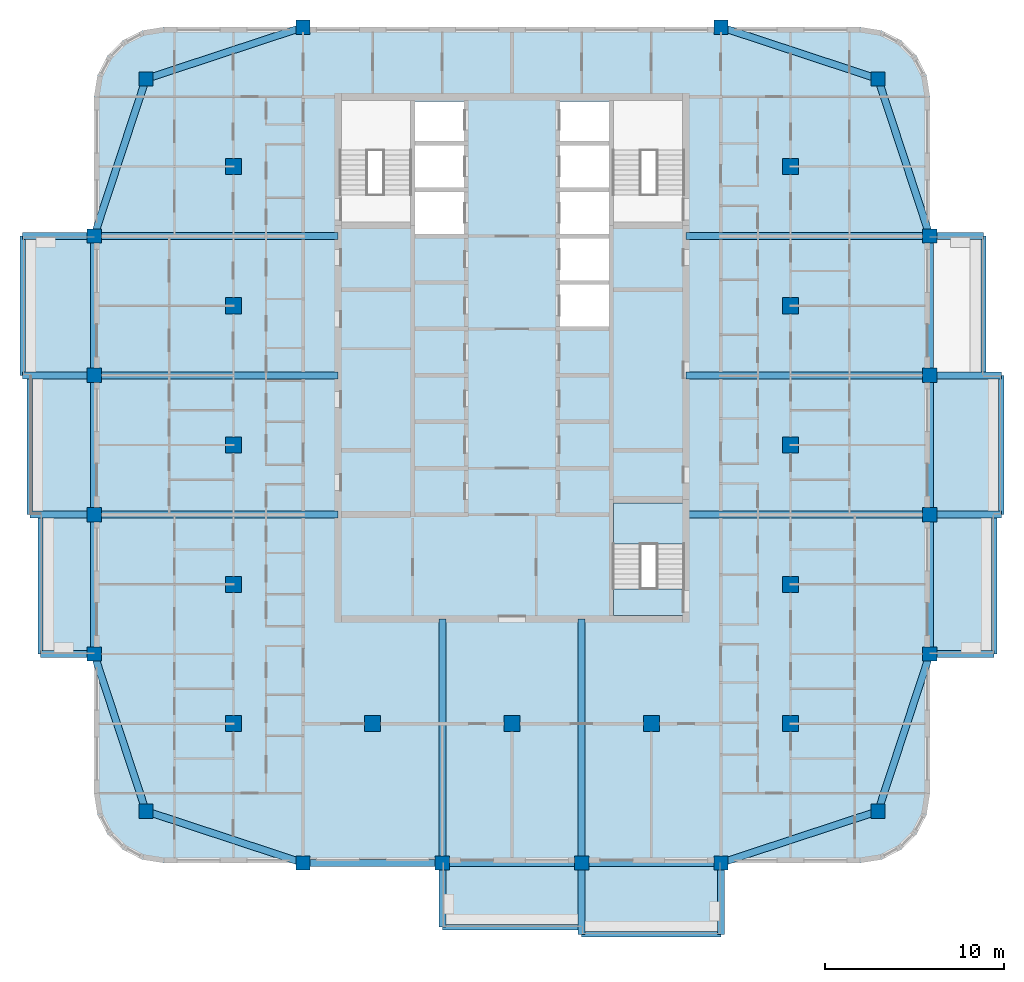
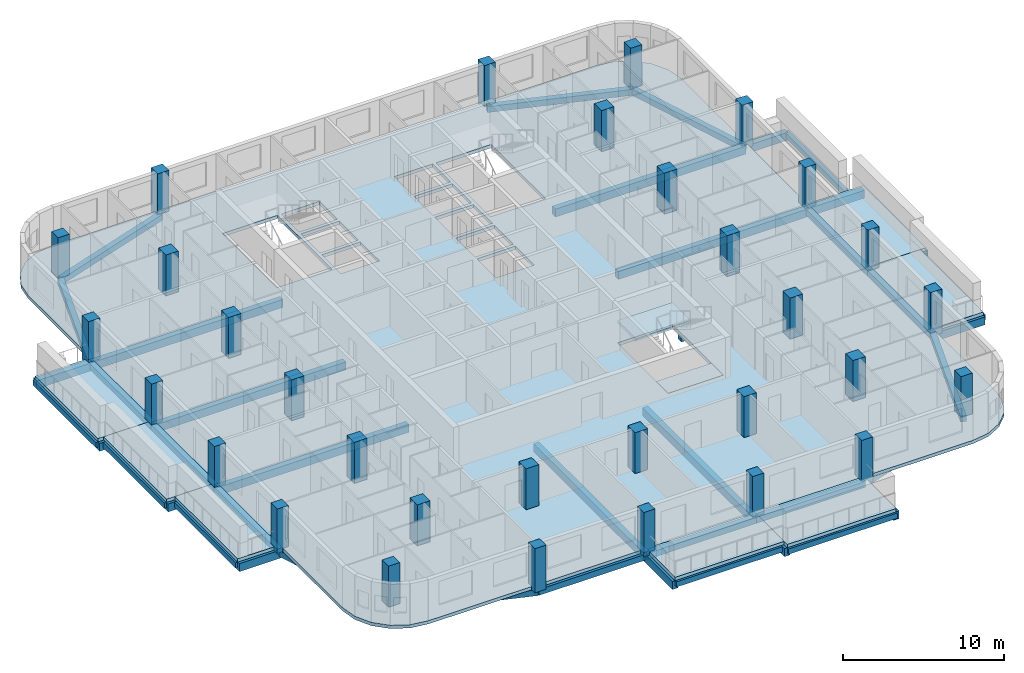
# One storey, part 1 of 16: 44 beams, 31 columns, 10 slabs, 1 element without a shape of its own.
"""IFC4 building model written with IfcOpenShell, lengths in metres."""

from ifc_helpers import new_model, si_unit, direction, frame, origin, origin_2d, place, context, subcontext, project, spatial, polyline, rectangle, outline, extrude, material, layer, layer_set, material_profile, profile_set, type_object, element, aggregate, save


model = new_model("IFC4")

# Units and contexts
model_context = context("Model", 3, precision=1e-05, world=origin(), true_north=direction((0.0, 1.0)))
body_context = subcontext(model_context, "Body", "Model", "MODEL_VIEW")
ifc_project = project(units=[si_unit("LENGTHUNIT", "METRE"), si_unit("AREAUNIT", "SQUARE_METRE"), si_unit("VOLUMEUNIT", "CUBIC_METRE"), si_unit("PLANEANGLEUNIT", "RADIAN"), si_unit("MASSUNIT", "GRAM", prefix="KILO")], contexts=[model_context])

# Site, building, storey
site_placement = place(None, origin())
site = spatial("IfcSite", under=ifc_project, at=site_placement, CompositionType="ELEMENT")
building_placement = place(site_placement, origin())
building = spatial("IfcBuilding", under=site, at=building_placement, Name="Ludao Terraces", CompositionType="ELEMENT")
storey_placement = place(building_placement, frame((0.0, 0.0, 238.10009765625)))
storey = spatial("IfcBuildingStorey", under=building, at=storey_placement, Name="L65", CompositionType="ELEMENT", Elevation=238.10009765625)

# Columns
ifc_material_1 = material(Name="Concrete C50", Category="concrete")
ifc_material_profile_1 = material_profile(ifc_material_1, rectangle(XDim=0.800048828125, YDim=0.800048828125, at=origin_2d()), Name="800 X 800")
ifc_profile_set_1 = profile_set([ifc_material_profile_1], Name="Concrete C50")
column_type_1 = type_object("IfcColumnType", Name="RC column 800x800 C50", PredefinedType="COLUMN", material=ifc_profile_set_1)
for number, where, z_axis, x_axis, name in (
    (1, (64.5, 44.5, -0.25), (0.0, 0.0, 1.0), (1.0, 0.0, 0.0), "Column L65 C0029x0029"),
    (2, (105.5, 44.5, -0.25), (0.0, 0.0, 1.0), (1.0, 0.0, 0.0), "Column L65 C0439x0029"),
    (3, (64.5, 85.5, -0.25), (0.0, 0.0, 1.0), (1.0, 0.0, 0.0), "Column L65 C0029x0439"),
    (4, (105.5, 85.5, -0.25), (0.0, 0.0, 1.0), (1.0, 0.0, 0.0), "Column L65 C0439x0439"),
    (5, (61.60009765625, 53.300048828125, -0.25), (0.0, 0.0, 1.0), (1.0, 0.0, 0.0), "Column L65 F0000x0117"),
    (6, (108.39990234375, 53.300048828125, -0.25), (0.0, 0.0, 1.0), (1.0, 0.0, 0.0), "Column L65 F0468x0117"),
    (7, (73.300048828125, 41.60009765625, -0.25), (0.0, 0.0, 1.0), (1.0, 0.0, 0.0), "Column L65 F0117x0000"),
    (8, (73.300048828125, 88.39990234375, -0.25), (0.0, 0.0, 1.0), (1.0, 0.0, 0.0), "Column L65 F0117x0468"),
    (9, (61.60009765625, 61.10009765625, -0.25), (0.0, 0.0, 1.0), (1.0, 0.0, 0.0), "Column L65 F0000x0195"),
    (10, (108.39990234375, 61.10009765625, -0.25), (0.0, 0.0, 1.0), (1.0, 0.0, 0.0), "Column L65 F0468x0195"),
    (11, (81.10009765625, 41.60009765625, -0.25), (0.0, 0.0, 1.0), (1.0, 0.0, 0.0), "Column L65 F0195x0000"),
    (12, (61.60009765625, 68.89990234375, -0.25), (0.0, 0.0, 1.0), (1.0, 0.0, 0.0), "Column L65 F0000x0273"),
    (13, (108.39990234375, 68.89990234375, -0.25), (0.0, 0.0, 1.0), (1.0, 0.0, 0.0), "Column L65 F0468x0273"),
    (14, (88.89990234375, 41.60009765625, -0.25), (0.0, 0.0, 1.0), (1.0, 0.0, 0.0), "Column L65 F0273x0000"),
    (15, (61.60009765625, 76.699951171875, -0.25), (0.0, 0.0, 1.0), (1.0, 0.0, 0.0), "Column L65 F0000x0351"),
    (16, (108.39990234375, 76.699951171875, -0.25), (0.0, 0.0, 1.0), (1.0, 0.0, 0.0), "Column L65 F0468x0351"),
    (17, (96.699951171875, 41.60009765625, -0.25), (0.0, 0.0, 1.0), (1.0, 0.0, 0.0), "Column L65 F0351x0000"),
    (18, (96.699951171875, 88.39990234375, -0.25), (0.0, 0.0, 1.0), (1.0, 0.0, 0.0), "Column L65 F0351x0468"),
):
    element("IfcColumn", number, at=place(storey_placement, frame(where, z_axis=z_axis, x_axis=x_axis)), inside=storey, type_object=column_type_1, Name=name, PredefinedType="COLUMN", context=body_context, shape_type="SweptSolid", body=[
        extrude(rectangle(XDim=0.800048828125, YDim=0.800048828125, at=origin_2d()), origin(), (0.0, 0.0, 1.0), 3.349853515625),
    ])
ifc_material_profile_2 = material_profile(ifc_material_1, rectangle(XDim=0.89990234375, YDim=0.89990234375, at=origin_2d()), Name="900 X 900")
ifc_profile_set_2 = profile_set([ifc_material_profile_2], Name="Concrete C50")
column_type_2 = type_object("IfcColumnType", Name="RC column 900x900 C50", PredefinedType="COLUMN", material=ifc_profile_set_2)
for number, where, z_axis, x_axis, name in (
    (19, (69.39990234375, 49.39990234375, -0.25), (0.0, 0.0, 1.0), (1.0, 0.0, 0.0), "Column L65 S0078x0078"),
    (20, (69.39990234375, 57.199951171875, -0.25), (0.0, 0.0, 1.0), (1.0, 0.0, 0.0), "Column L65 S0078x0156"),
    (21, (69.39990234375, 65.0, -0.25), (0.0, 0.0, 1.0), (1.0, 0.0, 0.0), "Column L65 S0078x0234"),
    (22, (69.39990234375, 72.800048828125, -0.25), (0.0, 0.0, 1.0), (1.0, 0.0, 0.0), "Column L65 S0078x0312"),
    (23, (69.39990234375, 80.60009765625, -0.25), (0.0, 0.0, 1.0), (1.0, 0.0, 0.0), "Column L65 S0078x0390"),
    (24, (77.199951171875, 49.39990234375, -0.25), (0.0, 0.0, 1.0), (1.0, 0.0, 0.0), "Column L65 S0156x0078"),
    (25, (85.0, 49.39990234375, -0.25), (0.0, 0.0, 1.0), (1.0, 0.0, 0.0), "Column L65 S0234x0078"),
    (26, (92.800048828125, 49.39990234375, -0.25), (0.0, 0.0, 1.0), (1.0, 0.0, 0.0), "Column L65 S0312x0078"),
    (27, (100.60009765625, 49.39990234375, -0.25), (0.0, 0.0, 1.0), (1.0, 0.0, 0.0), "Column L65 S0390x0078"),
    (28, (100.60009765625, 57.199951171875, -0.25), (0.0, 0.0, 1.0), (1.0, 0.0, 0.0), "Column L65 S0390x0156"),
    (29, (100.60009765625, 65.0, -0.25), (0.0, 0.0, 1.0), (1.0, 0.0, 0.0), "Column L65 S0390x0234"),
    (30, (100.60009765625, 72.800048828125, -0.25), (0.0, 0.0, 1.0), (1.0, 0.0, 0.0), "Column L65 S0390x0312"),
    (31, (100.60009765625, 80.60009765625, -0.25), (0.0, 0.0, 1.0), (1.0, 0.0, 0.0), "Column L65 S0390x0390"),
):
    element("IfcColumn", number, at=place(storey_placement, frame(where, z_axis=z_axis, x_axis=x_axis)), inside=storey, type_object=column_type_2, Name=name, PredefinedType="COLUMN", context=body_context, shape_type="SweptSolid", body=[
        extrude(rectangle(XDim=0.89990234375, YDim=0.89990234375, at=origin_2d()), origin(), (0.0, 0.0, 1.0), 3.349853515625),
    ])

# Beams
ifc_material_2 = material(Name="Concrete C40", Category="concrete")
ifc_material_profile_3 = material_profile(ifc_material_2, rectangle(XDim=0.300048828125, YDim=0.39990234375, at=origin_2d()), Name="300 X 400")
ifc_profile_set_3 = profile_set([ifc_material_profile_3], Name="Concrete C40")
beam_type_1 = type_object("IfcBeamType", Name="RC beam 300x400 C40", PredefinedType="BEAM", material=ifc_profile_set_3)
beam_1_placement = place(storey_placement, frame((81.10009765625, 38.0, -0.4501953125), z_axis=(1.0, 0.0, 0.0), x_axis=(0.0, 1.0, 0.0)))
element("IfcBeam", 32, at=beam_1_placement, inside=storey, type_object=beam_type_1, Name="Balcony edge beam L65 S2", PredefinedType="BEAM", context=body_context, shape_type="SweptSolid", body=[
    extrude(rectangle(XDim=0.300048828125, YDim=0.39990234375, at=origin_2d()), origin(), (0.0, 0.0, 1.0), 7.7998046875),
])
for number, where, z_axis, x_axis, name in (
    (33, (88.89990234375, 37.60009765625, -0.4501953125), (1.0, 0.0, 0.0), (0.0, 1.0, 0.0), "Balcony edge beam L65 S3"),
    (34, (112.0, 53.300048828125, -0.4501953125), (0.0, 1.0, 0.0), (-1.0, 0.0, 0.0), "Balcony edge beam L65 E1"),
):
    element("IfcBeam", number, at=place(storey_placement, frame(where, z_axis=z_axis, x_axis=x_axis)), inside=storey, type_object=beam_type_1, Name=name, PredefinedType="BEAM", context=body_context, shape_type="SweptSolid", body=[
        extrude(rectangle(XDim=0.300048828125, YDim=0.39990234375, at=origin_2d()), origin(), (0.0, 0.0, 1.0), 7.800048828125),
    ])
beam_2_placement = place(storey_placement, frame((112.39990234375, 61.10009765625, -0.4501953125), z_axis=(0.0, 1.0, 0.0), x_axis=(-1.0, 0.0, 0.0)))
element("IfcBeam", 35, at=beam_2_placement, inside=storey, type_object=beam_type_1, Name="Balcony edge beam L65 E2", PredefinedType="BEAM", context=body_context, shape_type="SweptSolid", body=[
    extrude(rectangle(XDim=0.300048828125, YDim=0.39990234375, at=origin_2d()), origin(), (0.0, 0.0, 1.0), 7.7998046875),
])
for number, where, z_axis, x_axis, name in (
    (36, (111.39990234375, 68.89990234375, -0.4501953125), (0.0, 1.0, 0.0), (-1.0, 0.0, 0.0), "Balcony edge beam L65 E3"),
    (37, (58.60009765625, 53.300048828125, -0.4501953125), (0.0, 1.0, 0.0), (-1.0, 0.0, 0.0), "Balcony edge beam L65 W1"),
):
    element("IfcBeam", number, at=place(storey_placement, frame(where, z_axis=z_axis, x_axis=x_axis)), inside=storey, type_object=beam_type_1, Name=name, PredefinedType="BEAM", context=body_context, shape_type="SweptSolid", body=[
        extrude(rectangle(XDim=0.300048828125, YDim=0.39990234375, at=origin_2d()), origin(), (0.0, 0.0, 1.0), 7.800048828125),
    ])
beam_3_placement = place(storey_placement, frame((58.0, 61.10009765625, -0.4501953125), z_axis=(0.0, 1.0, 0.0), x_axis=(-1.0, 0.0, 0.0)))
element("IfcBeam", 38, at=beam_3_placement, inside=storey, type_object=beam_type_1, Name="Balcony edge beam L65 W2", PredefinedType="BEAM", context=body_context, shape_type="SweptSolid", body=[
    extrude(rectangle(XDim=0.300048828125, YDim=0.39990234375, at=origin_2d()), origin(), (0.0, 0.0, 1.0), 7.7998046875),
])
beam_4_placement = place(storey_placement, frame((57.60009765625, 68.89990234375, -0.4501953125), z_axis=(0.0, 1.0, 0.0), x_axis=(-1.0, 0.0, 0.0)))
element("IfcBeam", 39, at=beam_4_placement, inside=storey, type_object=beam_type_1, Name="Balcony edge beam L65 W3", PredefinedType="BEAM", context=body_context, shape_type="SweptSolid", body=[
    extrude(rectangle(XDim=0.300048828125, YDim=0.39990234375, at=origin_2d()), origin(), (0.0, 0.0, 1.0), 7.800048828125),
])
ifc_material_profile_4 = material_profile(ifc_material_2, rectangle(XDim=0.39990234375, YDim=0.449951171875, at=origin_2d()), Name="400 X 450")
ifc_profile_set_4 = profile_set([ifc_material_profile_4], Name="Concrete C40")
beam_type_2 = type_object("IfcBeamType", Name="RC beam 400x450 C40", PredefinedType="BEAM", material=ifc_profile_set_4)
beam_5_placement = place(storey_placement, frame((64.5, 44.5, -0.47509765625), z_axis=(0.949760691408, -0.312977042379, 0.0), x_axis=(0.312977042379, 0.949760691408, 0.0)))
element("IfcBeam", 40, at=beam_5_placement, inside=storey, type_object=beam_type_2, Name="Spandrel beam L65 S1", PredefinedType="BEAM", context=body_context, shape_type="SweptSolid", body=[
    extrude(rectangle(XDim=0.39990234375, YDim=0.449951171875, at=origin_2d()), origin(), (0.0, 0.0, 1.0), 9.265625),
])
beam_6_placement = place(storey_placement, frame((73.300048828125, 41.60009765625, -0.47509765625), z_axis=(1.0, 0.0, 0.0), x_axis=(0.0, 1.0, 0.0)))
element("IfcBeam", 41, at=beam_6_placement, inside=storey, type_object=beam_type_2, Name="Spandrel beam L65 S2", PredefinedType="BEAM", context=body_context, shape_type="SweptSolid", body=[
    extrude(rectangle(XDim=0.39990234375, YDim=0.449951171875, at=origin_2d()), origin(), (0.0, 0.0, 1.0), 7.800048828125),
])
beam_7_placement = place(storey_placement, frame((81.10009765625, 41.60009765625, -0.47509765625), z_axis=(1.0, 0.0, 0.0), x_axis=(0.0, 1.0, 0.0)))
element("IfcBeam", 42, at=beam_7_placement, inside=storey, type_object=beam_type_2, Name="Spandrel beam L65 S3", PredefinedType="BEAM", context=body_context, shape_type="SweptSolid", body=[
    extrude(rectangle(XDim=0.39990234375, YDim=0.449951171875, at=origin_2d()), origin(), (0.0, 0.0, 1.0), 7.7998046875),
])
beam_8_placement = place(storey_placement, frame((88.89990234375, 41.60009765625, -0.47509765625), z_axis=(1.0, 0.0, 0.0), x_axis=(0.0, 1.0, 0.0)))
element("IfcBeam", 43, at=beam_8_placement, inside=storey, type_object=beam_type_2, Name="Spandrel beam L65 S4", PredefinedType="BEAM", context=body_context, shape_type="SweptSolid", body=[
    extrude(rectangle(XDim=0.39990234375, YDim=0.449951171875, at=origin_2d()), origin(), (0.0, 0.0, 1.0), 7.800048828125),
])
for number, where, z_axis, x_axis, name in (
    (44, (96.699951171875, 41.60009765625, -0.47509765625), (0.949760691408, 0.312977042379, 0.0), (-0.312977042379, 0.949760691408, 0.0), "Spandrel beam L65 S5"),
    (45, (64.5, 85.5, -0.47509765625), (0.949760691408, 0.312977042379, 0.0), (-0.312977042379, 0.949760691408, 0.0), "Spandrel beam L65 N6"),
    (46, (96.699951171875, 88.39990234375, -0.47509765625), (0.949760691408, -0.312977042379, 0.0), (0.312977042379, 0.949760691408, 0.0), "Spandrel beam L65 N7"),
    (47, (64.5, 44.5, -0.47509765625), (-0.312977042379, 0.949760691408, 0.0), (-0.949760691408, -0.312977042379, 0.0), "Spandrel beam L65 W8"),
):
    element("IfcBeam", number, at=place(storey_placement, frame(where, z_axis=z_axis, x_axis=x_axis)), inside=storey, type_object=beam_type_2, Name=name, PredefinedType="BEAM", context=body_context, shape_type="SweptSolid", body=[
        extrude(rectangle(XDim=0.39990234375, YDim=0.449951171875, at=origin_2d()), origin(), (0.0, 0.0, 1.0), 9.265625),
    ])
beam_9_placement = place(storey_placement, frame((61.60009765625, 53.300048828125, -0.47509765625), z_axis=(0.0, 1.0, 0.0), x_axis=(-1.0, 0.0, 0.0)))
element("IfcBeam", 48, at=beam_9_placement, inside=storey, type_object=beam_type_2, Name="Spandrel beam L65 W9", PredefinedType="BEAM", context=body_context, shape_type="SweptSolid", body=[
    extrude(rectangle(XDim=0.39990234375, YDim=0.449951171875, at=origin_2d()), origin(), (0.0, 0.0, 1.0), 7.800048828125),
])
beam_10_placement = place(storey_placement, frame((61.60009765625, 61.10009765625, -0.47509765625), z_axis=(0.0, 1.0, 0.0), x_axis=(-1.0, 0.0, 0.0)))
element("IfcBeam", 49, at=beam_10_placement, inside=storey, type_object=beam_type_2, Name="Spandrel beam L65 W10", PredefinedType="BEAM", context=body_context, shape_type="SweptSolid", body=[
    extrude(rectangle(XDim=0.39990234375, YDim=0.449951171875, at=origin_2d()), origin(), (0.0, 0.0, 1.0), 7.7998046875),
])
beam_11_placement = place(storey_placement, frame((61.60009765625, 68.89990234375, -0.47509765625), z_axis=(0.0, 1.0, 0.0), x_axis=(-1.0, 0.0, 0.0)))
element("IfcBeam", 50, at=beam_11_placement, inside=storey, type_object=beam_type_2, Name="Spandrel beam L65 W11", PredefinedType="BEAM", context=body_context, shape_type="SweptSolid", body=[
    extrude(rectangle(XDim=0.39990234375, YDim=0.449951171875, at=origin_2d()), origin(), (0.0, 0.0, 1.0), 7.800048828125),
])
for number, where, z_axis, x_axis, name in (
    (51, (61.60009765625, 76.699951171875, -0.47509765625), (0.312977042379, 0.949760691408, 0.0), (-0.949760691408, 0.312977042379, 0.0), "Spandrel beam L65 W12"),
    (52, (105.5, 44.5, -0.47509765625), (0.312977042379, 0.949760691408, 0.0), (-0.949760691408, 0.312977042379, 0.0), "Spandrel beam L65 E13"),
):
    element("IfcBeam", number, at=place(storey_placement, frame(where, z_axis=z_axis, x_axis=x_axis)), inside=storey, type_object=beam_type_2, Name=name, PredefinedType="BEAM", context=body_context, shape_type="SweptSolid", body=[
        extrude(rectangle(XDim=0.39990234375, YDim=0.449951171875, at=origin_2d()), origin(), (0.0, 0.0, 1.0), 9.265625),
    ])
beam_12_placement = place(storey_placement, frame((108.39990234375, 53.300048828125, -0.47509765625), z_axis=(0.0, 1.0, 0.0), x_axis=(-1.0, 0.0, 0.0)))
element("IfcBeam", 53, at=beam_12_placement, inside=storey, type_object=beam_type_2, Name="Spandrel beam L65 E14", PredefinedType="BEAM", context=body_context, shape_type="SweptSolid", body=[
    extrude(rectangle(XDim=0.39990234375, YDim=0.449951171875, at=origin_2d()), origin(), (0.0, 0.0, 1.0), 7.800048828125),
])
beam_13_placement = place(storey_placement, frame((108.39990234375, 61.10009765625, -0.47509765625), z_axis=(0.0, 1.0, 0.0), x_axis=(-1.0, 0.0, 0.0)))
element("IfcBeam", 54, at=beam_13_placement, inside=storey, type_object=beam_type_2, Name="Spandrel beam L65 E15", PredefinedType="BEAM", context=body_context, shape_type="SweptSolid", body=[
    extrude(rectangle(XDim=0.39990234375, YDim=0.449951171875, at=origin_2d()), origin(), (0.0, 0.0, 1.0), 7.7998046875),
])
beam_14_placement = place(storey_placement, frame((108.39990234375, 68.89990234375, -0.47509765625), z_axis=(0.0, 1.0, 0.0), x_axis=(-1.0, 0.0, 0.0)))
element("IfcBeam", 55, at=beam_14_placement, inside=storey, type_object=beam_type_2, Name="Spandrel beam L65 E16", PredefinedType="BEAM", context=body_context, shape_type="SweptSolid", body=[
    extrude(rectangle(XDim=0.39990234375, YDim=0.449951171875, at=origin_2d()), origin(), (0.0, 0.0, 1.0), 7.800048828125),
])
beam_15_placement = place(storey_placement, frame((108.39990234375, 76.699951171875, -0.47509765625), z_axis=(-0.312977042379, 0.949760691408, 0.0), x_axis=(-0.949760691408, -0.312977042379, 0.0)))
element("IfcBeam", 56, at=beam_15_placement, inside=storey, type_object=beam_type_2, Name="Spandrel beam L65 E17", PredefinedType="BEAM", context=body_context, shape_type="SweptSolid", body=[
    extrude(rectangle(XDim=0.39990234375, YDim=0.449951171875, at=origin_2d()), origin(), (0.0, 0.0, 1.0), 9.265625),
])
ifc_material_profile_5 = material_profile(ifc_material_2, rectangle(XDim=0.39990234375, YDim=0.60009765625, at=origin_2d()), Name="400 X 600")
ifc_profile_set_5 = profile_set([ifc_material_profile_5], Name="Concrete C40")
beam_type_3 = type_object("IfcBeamType", Name="RC beam 400x600 C40", PredefinedType="BEAM", material=ifc_profile_set_5)
beam_16_placement = place(storey_placement, frame((108.39990234375, 53.300048828125, -0.550048828125), z_axis=(1.0, 0.0, 0.0), x_axis=(0.0, 1.0, 0.0)))
element("IfcBeam", 57, at=beam_16_placement, inside=storey, type_object=beam_type_3, Name="Balcony beam L65 E533", PredefinedType="BEAM", context=body_context, shape_type="SweptSolid", body=[
    extrude(rectangle(XDim=0.39990234375, YDim=0.60009765625, at=origin_2d()), origin(), (0.0, 0.0, 1.0), 3.60009765625),
])
beam_17_placement = place(storey_placement, frame((94.75, 61.10009765625, -0.550048828125), z_axis=(1.0, 0.0, 0.0), x_axis=(0.0, 1.0, 0.0)))
element("IfcBeam", 58, at=beam_17_placement, inside=storey, type_object=beam_type_3, Name="Balcony beam L65 E611", PredefinedType="BEAM", context=body_context, shape_type="SweptSolid", body=[
    extrude(rectangle(XDim=0.39990234375, YDim=0.60009765625, at=origin_2d()), origin(), (0.0, 0.0, 1.0), 13.64990234375),
])
beam_18_placement = place(storey_placement, frame((108.39990234375, 61.10009765625, -0.550048828125), z_axis=(1.0, 0.0, 0.0), x_axis=(0.0, 1.0, 0.0)))
element("IfcBeam", 59, at=beam_18_placement, inside=storey, type_object=beam_type_3, Name="Balcony beam L65 E611", PredefinedType="BEAM", context=body_context, shape_type="SweptSolid", body=[
    extrude(rectangle(XDim=0.39990234375, YDim=0.60009765625, at=origin_2d()), origin(), (0.0, 0.0, 1.0), 4.0),
])
beam_19_placement = place(storey_placement, frame((94.75, 68.89990234375, -0.550048828125), z_axis=(1.0, 0.0, 0.0), x_axis=(0.0, 1.0, 0.0)))
element("IfcBeam", 60, at=beam_19_placement, inside=storey, type_object=beam_type_3, Name="Balcony beam L65 E689", PredefinedType="BEAM", context=body_context, shape_type="SweptSolid", body=[
    extrude(rectangle(XDim=0.39990234375, YDim=0.60009765625, at=origin_2d()), origin(), (0.0, 0.0, 1.0), 13.64990234375),
])
beam_20_placement = place(storey_placement, frame((108.39990234375, 68.89990234375, -0.550048828125), z_axis=(1.0, 0.0, 0.0), x_axis=(0.0, 1.0, 0.0)))
element("IfcBeam", 61, at=beam_20_placement, inside=storey, type_object=beam_type_3, Name="Balcony beam L65 E689", PredefinedType="BEAM", context=body_context, shape_type="SweptSolid", body=[
    extrude(rectangle(XDim=0.39990234375, YDim=0.60009765625, at=origin_2d()), origin(), (0.0, 0.0, 1.0), 4.0),
])
beam_21_placement = place(storey_placement, frame((94.75, 76.699951171875, -0.550048828125), z_axis=(1.0, 0.0, 0.0), x_axis=(0.0, 1.0, 0.0)))
element("IfcBeam", 62, at=beam_21_placement, inside=storey, type_object=beam_type_3, Name="Balcony beam L65 E767", PredefinedType="BEAM", context=body_context, shape_type="SweptSolid", body=[
    extrude(rectangle(XDim=0.39990234375, YDim=0.60009765625, at=origin_2d()), origin(), (0.0, 0.0, 1.0), 13.64990234375),
])
beam_22_placement = place(storey_placement, frame((108.39990234375, 76.699951171875, -0.550048828125), z_axis=(1.0, 0.0, 0.0), x_axis=(0.0, 1.0, 0.0)))
element("IfcBeam", 63, at=beam_22_placement, inside=storey, type_object=beam_type_3, Name="Balcony beam L65 E767", PredefinedType="BEAM", context=body_context, shape_type="SweptSolid", body=[
    extrude(rectangle(XDim=0.39990234375, YDim=0.60009765625, at=origin_2d()), origin(), (0.0, 0.0, 1.0), 3.0),
])
beam_23_placement = place(storey_placement, frame((81.10009765625, 55.25, -0.550048828125), z_axis=(0.0, -1.0, 0.0), x_axis=(1.0, 0.0, 0.0)))
element("IfcBeam", 64, at=beam_23_placement, inside=storey, type_object=beam_type_3, Name="Balcony beam L65 S811", PredefinedType="BEAM", context=body_context, shape_type="SweptSolid", body=[
    extrude(rectangle(XDim=0.39990234375, YDim=0.60009765625, at=origin_2d()), origin(), (0.0, 0.0, 1.0), 13.64990234375),
])
beam_24_placement = place(storey_placement, frame((81.10009765625, 41.60009765625, -0.550048828125), z_axis=(0.0, -1.0, 0.0), x_axis=(1.0, 0.0, 0.0)))
element("IfcBeam", 65, at=beam_24_placement, inside=storey, type_object=beam_type_3, Name="Balcony beam L65 S811", PredefinedType="BEAM", context=body_context, shape_type="SweptSolid", body=[
    extrude(rectangle(XDim=0.39990234375, YDim=0.60009765625, at=origin_2d()), origin(), (0.0, 0.0, 1.0), 3.60009765625),
])
beam_25_placement = place(storey_placement, frame((88.89990234375, 55.25, -0.550048828125), z_axis=(0.0, -1.0, 0.0), x_axis=(1.0, 0.0, 0.0)))
element("IfcBeam", 66, at=beam_25_placement, inside=storey, type_object=beam_type_3, Name="Balcony beam L65 S889", PredefinedType="BEAM", context=body_context, shape_type="SweptSolid", body=[
    extrude(rectangle(XDim=0.39990234375, YDim=0.60009765625, at=origin_2d()), origin(), (0.0, 0.0, 1.0), 13.64990234375),
])
for number, where, z_axis, x_axis, name in (
    (67, (88.89990234375, 41.60009765625, -0.550048828125), (0.0, -1.0, 0.0), (1.0, 0.0, 0.0), "Balcony beam L65 S889"),
    (68, (96.699951171875, 41.60009765625, -0.550048828125), (0.0, -1.0, 0.0), (1.0, 0.0, 0.0), "Balcony beam L65 S967"),
):
    element("IfcBeam", number, at=place(storey_placement, frame(where, z_axis=z_axis, x_axis=x_axis)), inside=storey, type_object=beam_type_3, Name=name, PredefinedType="BEAM", context=body_context, shape_type="SweptSolid", body=[
        extrude(rectangle(XDim=0.39990234375, YDim=0.60009765625, at=origin_2d()), origin(), (0.0, 0.0, 1.0), 4.0),
    ])
beam_26_placement = place(storey_placement, frame((61.60009765625, 53.300048828125, -0.550048828125), z_axis=(-1.0, 0.0, 0.0), x_axis=(0.0, -1.0, 0.0)))
element("IfcBeam", 69, at=beam_26_placement, inside=storey, type_object=beam_type_3, Name="Balcony beam L65 W533", PredefinedType="BEAM", context=body_context, shape_type="SweptSolid", body=[
    extrude(rectangle(XDim=0.39990234375, YDim=0.60009765625, at=origin_2d()), origin(), (0.0, 0.0, 1.0), 3.0),
])
beam_27_placement = place(storey_placement, frame((75.25, 61.10009765625, -0.550048828125), z_axis=(-1.0, 0.0, 0.0), x_axis=(0.0, -1.0, 0.0)))
element("IfcBeam", 70, at=beam_27_placement, inside=storey, type_object=beam_type_3, Name="Balcony beam L65 W611", PredefinedType="BEAM", context=body_context, shape_type="SweptSolid", body=[
    extrude(rectangle(XDim=0.39990234375, YDim=0.60009765625, at=origin_2d()), origin(), (0.0, 0.0, 1.0), 13.64990234375),
])
beam_28_placement = place(storey_placement, frame((61.60009765625, 61.10009765625, -0.550048828125), z_axis=(-1.0, 0.0, 0.0), x_axis=(0.0, -1.0, 0.0)))
element("IfcBeam", 71, at=beam_28_placement, inside=storey, type_object=beam_type_3, Name="Balcony beam L65 W611", PredefinedType="BEAM", context=body_context, shape_type="SweptSolid", body=[
    extrude(rectangle(XDim=0.39990234375, YDim=0.60009765625, at=origin_2d()), origin(), (0.0, 0.0, 1.0), 3.60009765625),
])
beam_29_placement = place(storey_placement, frame((75.25, 68.89990234375, -0.550048828125), z_axis=(-1.0, 0.0, 0.0), x_axis=(0.0, -1.0, 0.0)))
element("IfcBeam", 72, at=beam_29_placement, inside=storey, type_object=beam_type_3, Name="Balcony beam L65 W689", PredefinedType="BEAM", context=body_context, shape_type="SweptSolid", body=[
    extrude(rectangle(XDim=0.39990234375, YDim=0.60009765625, at=origin_2d()), origin(), (0.0, 0.0, 1.0), 13.64990234375),
])
beam_30_placement = place(storey_placement, frame((61.60009765625, 68.89990234375, -0.550048828125), z_axis=(-1.0, 0.0, 0.0), x_axis=(0.0, -1.0, 0.0)))
element("IfcBeam", 73, at=beam_30_placement, inside=storey, type_object=beam_type_3, Name="Balcony beam L65 W689", PredefinedType="BEAM", context=body_context, shape_type="SweptSolid", body=[
    extrude(rectangle(XDim=0.39990234375, YDim=0.60009765625, at=origin_2d()), origin(), (0.0, 0.0, 1.0), 4.0),
])
beam_31_placement = place(storey_placement, frame((75.25, 76.699951171875, -0.550048828125), z_axis=(-1.0, 0.0, 0.0), x_axis=(0.0, -1.0, 0.0)))
element("IfcBeam", 74, at=beam_31_placement, inside=storey, type_object=beam_type_3, Name="Balcony beam L65 W767", PredefinedType="BEAM", context=body_context, shape_type="SweptSolid", body=[
    extrude(rectangle(XDim=0.39990234375, YDim=0.60009765625, at=origin_2d()), origin(), (0.0, 0.0, 1.0), 13.64990234375),
])
beam_32_placement = place(storey_placement, frame((61.60009765625, 76.699951171875, -0.550048828125), z_axis=(-1.0, 0.0, 0.0), x_axis=(0.0, -1.0, 0.0)))
element("IfcBeam", 75, at=beam_32_placement, inside=storey, type_object=beam_type_3, Name="Balcony beam L65 W767", PredefinedType="BEAM", context=body_context, shape_type="SweptSolid", body=[
    extrude(rectangle(XDim=0.39990234375, YDim=0.60009765625, at=origin_2d()), origin(), (0.0, 0.0, 1.0), 4.0),
])

# Slabs
ifc_layer_1 = layer(ifc_material_2, 0.25)
ifc_layer_set_1 = layer_set([ifc_layer_1], Name="Balcony slab 250 C40")
slab_type_1 = type_object("IfcSlabType", Name="Balcony slab 250 C40", PredefinedType="USERDEFINED", material=ifc_layer_set_1)
slab_1_placement = place(storey_placement, frame((0.0, 0.0, -0.25)))
element("IfcSlab", 76, at=slab_1_placement, inside=storey, type_object=slab_type_1, Name="Balcony L65 S2", ObjectType="BALCONY", PredefinedType="USERDEFINED", context=body_context, shape_type="SweptSolid", body=[
    extrude(outline(polyline([(81.10009765625, 38.0), (88.89990234375, 38.0), (88.89990234375, 41.60009765625), (81.10009765625, 41.60009765625), (81.10009765625, 38.0)])), origin(), (0.0, 0.0, 1.0), 0.25),
])
slab_2_placement = place(storey_placement, frame((0.0, 0.0, -0.25)))
element("IfcSlab", 77, at=slab_2_placement, inside=storey, type_object=slab_type_1, Name="Balcony L65 S3", ObjectType="BALCONY", PredefinedType="USERDEFINED", context=body_context, shape_type="SweptSolid", body=[
    extrude(outline(polyline([(88.89990234375, 37.60009765625), (96.699951171875, 37.60009765625), (96.699951171875, 41.60009765625), (88.89990234375, 41.60009765625), (88.89990234375, 37.60009765625)])), origin(), (0.0, 0.0, 1.0), 0.25),
])
slab_3_placement = place(storey_placement, frame((0.0, 0.0, -0.25)))
element("IfcSlab", 78, at=slab_3_placement, inside=storey, type_object=slab_type_1, Name="Balcony L65 E1", ObjectType="BALCONY", PredefinedType="USERDEFINED", context=body_context, shape_type="SweptSolid", body=[
    extrude(outline(polyline([(108.39990234375, 53.300048828125), (112.0, 53.300048828125), (112.0, 61.10009765625), (108.39990234375, 61.10009765625), (108.39990234375, 53.300048828125)])), origin(), (0.0, 0.0, 1.0), 0.25),
])
slab_4_placement = place(storey_placement, frame((0.0, 0.0, -0.25)))
element("IfcSlab", 79, at=slab_4_placement, inside=storey, type_object=slab_type_1, Name="Balcony L65 E2", ObjectType="BALCONY", PredefinedType="USERDEFINED", context=body_context, shape_type="SweptSolid", body=[
    extrude(outline(polyline([(108.39990234375, 61.10009765625), (112.39990234375, 61.10009765625), (112.39990234375, 68.89990234375), (108.39990234375, 68.89990234375), (108.39990234375, 61.10009765625)])), origin(), (0.0, 0.0, 1.0), 0.25),
])
slab_5_placement = place(storey_placement, frame((0.0, 0.0, -0.25)))
element("IfcSlab", 80, at=slab_5_placement, inside=storey, type_object=slab_type_1, Name="Balcony L65 W1", ObjectType="BALCONY", PredefinedType="USERDEFINED", context=body_context, shape_type="SweptSolid", body=[
    extrude(outline(polyline([(58.60009765625, 53.300048828125), (61.60009765625, 53.300048828125), (61.60009765625, 61.10009765625), (58.60009765625, 61.10009765625), (58.60009765625, 53.300048828125)])), origin(), (0.0, 0.0, 1.0), 0.25),
])
slab_6_placement = place(storey_placement, frame((0.0, 0.0, -0.25)))
element("IfcSlab", 81, at=slab_6_placement, inside=storey, type_object=slab_type_1, Name="Balcony L65 W2", ObjectType="BALCONY", PredefinedType="USERDEFINED", context=body_context, shape_type="SweptSolid", body=[
    extrude(outline(polyline([(58.0, 61.10009765625), (61.60009765625, 61.10009765625), (61.60009765625, 68.89990234375), (58.0, 68.89990234375), (58.0, 61.10009765625)])), origin(), (0.0, 0.0, 1.0), 0.25),
])
slab_7_placement = place(storey_placement, frame((0.0, 0.0, -0.25)))
element("IfcSlab", 82, at=slab_7_placement, inside=storey, type_object=slab_type_1, Name="Balcony L65 W3", ObjectType="BALCONY", PredefinedType="USERDEFINED", context=body_context, shape_type="SweptSolid", body=[
    extrude(outline(polyline([(57.60009765625, 68.89990234375), (61.60009765625, 68.89990234375), (61.60009765625, 76.699951171875), (57.60009765625, 76.699951171875), (57.60009765625, 68.89990234375)])), origin(), (0.0, 0.0, 1.0), 0.25),
])
ifc_layer_2 = layer(ifc_material_2, 0.25)
ifc_layer_set_2 = layer_set([ifc_layer_2], Name="Floor slab 250 C40")
slab_type_2 = type_object("IfcSlabType", Name="Floor slab 250 C40", PredefinedType="FLOOR", material=ifc_layer_set_2)
slab_8_placement = place(storey_placement, frame((0.0, 0.0, -0.25)))
element("IfcSlab", 83, at=slab_8_placement, inside=storey, type_object=slab_type_2, Name="Slab L65", PredefinedType="FLOOR", context=body_context, shape_type="SweptSolid", body=[
    extrude(outline(polyline([(104.5, 41.60009765625), (105.705078125, 41.790771484375), (106.79248046875, 42.3447265625), (107.6552734375, 43.20751953125), (108.209228515625, 44.294921875), (108.39990234375, 45.5), (108.39990234375, 84.5), (108.209228515625, 85.705078125), (107.6552734375, 86.79248046875), (106.79248046875, 87.6552734375), (105.705078125, 88.209228515625), (104.5, 88.39990234375), (65.5, 88.39990234375), (64.294921875, 88.209228515625), (63.20751953125, 87.6552734375), (62.3447265625, 86.79248046875), (61.790771484375, 85.705078125), (61.60009765625, 84.5), (61.60009765625, 45.5), (61.790771484375, 44.294921875), (62.3447265625, 43.20751953125), (63.20751953125, 42.3447265625), (64.294921875, 41.790771484375), (65.5, 41.60009765625), (104.5, 41.60009765625)]), holes=[polyline([(79.574951171875, 76.824951171875), (82.324951171875, 76.824951171875), (82.324951171875, 79.175048828125), (79.574951171875, 79.175048828125), (79.574951171875, 76.824951171875)]), polyline([(79.574951171875, 79.425048828125), (82.324951171875, 79.425048828125), (82.324951171875, 81.77490234375), (79.574951171875, 81.77490234375), (79.574951171875, 79.425048828125)]), polyline([(79.574951171875, 82.02490234375), (82.324951171875, 82.02490234375), (82.324951171875, 84.239990234375), (79.574951171875, 84.239990234375), (79.574951171875, 82.02490234375)]), polyline([(87.675048828125, 71.625), (90.425048828125, 71.625), (90.425048828125, 73.97509765625), (87.675048828125, 73.97509765625), (87.675048828125, 71.625)]), polyline([(87.675048828125, 74.22509765625), (90.425048828125, 74.22509765625), (90.425048828125, 76.574951171875), (87.675048828125, 76.574951171875), (87.675048828125, 74.22509765625)]), polyline([(87.675048828125, 76.824951171875), (90.425048828125, 76.824951171875), (90.425048828125, 79.175048828125), (87.675048828125, 79.175048828125), (87.675048828125, 76.824951171875)]), polyline([(87.675048828125, 79.425048828125), (90.425048828125, 79.425048828125), (90.425048828125, 81.77490234375), (87.675048828125, 81.77490234375), (87.675048828125, 79.425048828125)]), polyline([(87.675048828125, 82.02490234375), (90.425048828125, 82.02490234375), (90.425048828125, 84.239990234375), (87.675048828125, 84.239990234375), (87.675048828125, 82.02490234375)]), polyline([(75.375, 77.5), (79.324951171875, 77.5), (79.324951171875, 84.239990234375), (75.375, 84.239990234375), (75.375, 77.5)]), polyline([(90.675048828125, 77.5), (94.625, 77.5), (94.625, 84.239990234375), (90.675048828125, 84.239990234375), (90.675048828125, 77.5)]), polyline([(90.675048828125, 55.449951171875), (94.625, 55.449951171875), (94.625, 61.75), (90.675048828125, 61.75), (90.675048828125, 55.449951171875)])]), origin(), (0.0, 0.0, 1.0), 0.25),
])

# Stair, slabs
stair_type = type_object("IfcStairType", Name="INT Stair", PredefinedType="HALF_TURN_STAIR", material=ifc_material_2)
stair_placement = place(storey_placement, origin())
stair = element("IfcStair", 84, at=stair_placement, inside=storey, type_object=stair_type, Name="EXIT STAIR 3", PredefinedType="HALF_TURN_STAIR")
ifc_layer_3 = layer(ifc_material_2, 0.199951171875)
ifc_layer_set_3 = layer_set([ifc_layer_3], Name="INT Stair landing 200")
slab_type_3 = type_object("IfcSlabType", Name="INT Stair landing 200", PredefinedType="LANDING", material=ifc_layer_set_3)
slab_9_placement = place(storey_placement, frame((0.0, 0.0, 1.5)))
slab_9 = element("IfcSlab", 85, at=slab_9_placement, type_object=slab_type_3, Name="ST3 landing 1", PredefinedType="LANDING", context=body_context, shape_type="SweptSolid", body=[
    extrude(outline(polyline([(90.675048828125, 59.469970703125), (94.625, 59.469970703125), (94.625, 61.75), (90.675048828125, 61.75), (90.675048828125, 59.469970703125)])), origin(), (0.0, 0.0, 1.0), 0.199951171875),
])
slab_10_placement = place(storey_placement, frame((0.0, 0.0, -0.2001953125)))
slab_10 = element("IfcSlab", 86, at=slab_10_placement, type_object=slab_type_3, Name="ST3 landing 2", PredefinedType="LANDING", context=body_context, shape_type="SweptSolid", body=[
    extrude(outline(polyline([(90.675048828125, 55.449951171875), (94.625, 55.449951171875), (94.625, 56.949951171875), (90.675048828125, 56.949951171875), (90.675048828125, 55.449951171875)])), origin(), (0.0, 0.0, 1.0), 0.2001953125),
])
aggregate(stair, [slab_9, slab_10])

save(model, "model.ifc")
